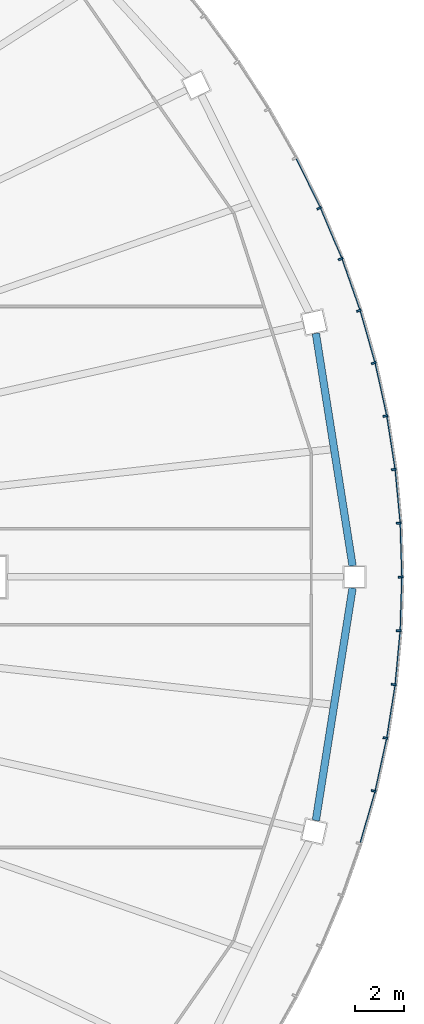
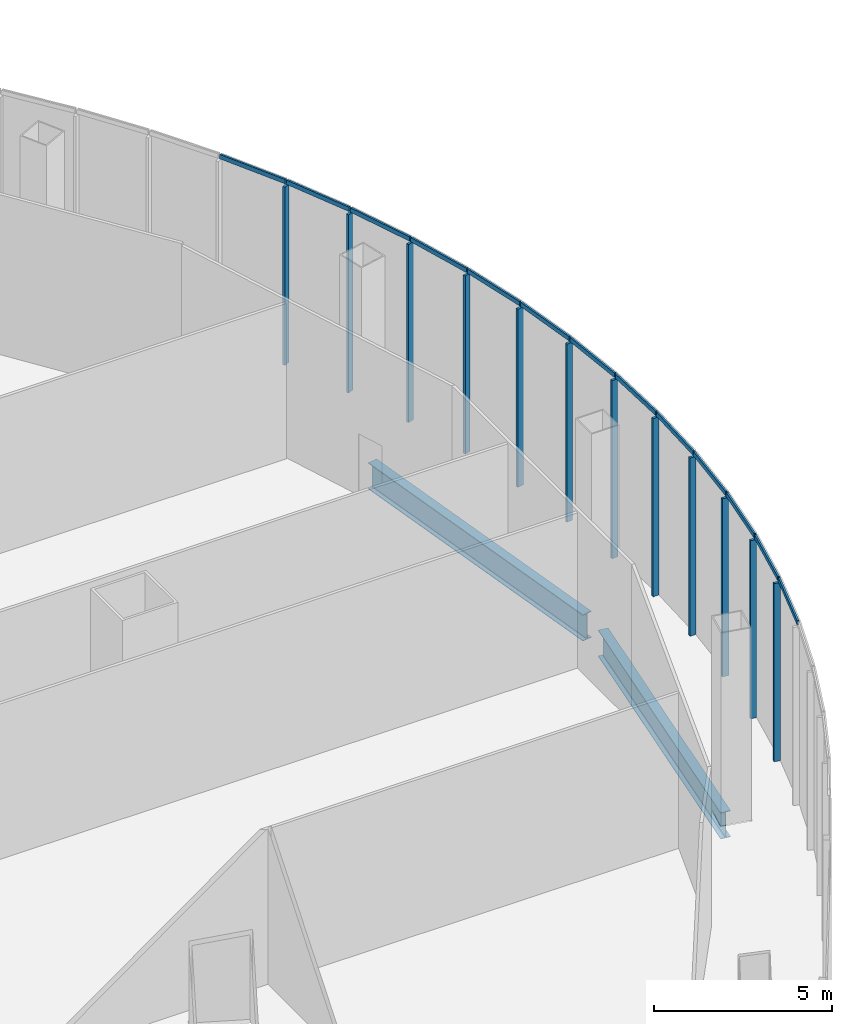
# One storey, part 12 of 33: 25 members, 2 beams, 3 elements without a shape of their own.
"""IFC4 building model written with IfcOpenShell, lengths in metres."""

from ifc_helpers import new_model, si_unit, direction, frame, origin, origin_2d, place, context, subcontext, project, spatial, rectangle, i_section, extrude, material, layer, layer_set, material_profile, profile_set, type_object, element, aggregate, save


model = new_model("IFC4")

# Units and contexts
model_context = context("Model", 3, precision=1e-05, world=origin(), true_north=direction((0.0, 1.0)))
body_context = subcontext(model_context, "Body", "Model", "MODEL_VIEW")
ifc_project = project(units=[si_unit("LENGTHUNIT", "METRE"), si_unit("AREAUNIT", "SQUARE_METRE"), si_unit("VOLUMEUNIT", "CUBIC_METRE"), si_unit("PLANEANGLEUNIT", "RADIAN"), si_unit("MASSUNIT", "GRAM", prefix="KILO")], contexts=[model_context])

# Site, building, storey
site_placement = place(None, origin())
site = spatial("IfcSite", under=ifc_project, at=site_placement, CompositionType="ELEMENT")
building_placement = place(site_placement, origin())
building = spatial("IfcBuilding", under=site, at=building_placement, Name="Sahrelin Media Tower", CompositionType="ELEMENT")
storey_placement = place(building_placement, frame((0.0, 0.0, 37.39990234375)))
storey = spatial("IfcBuildingStorey", under=building, at=storey_placement, Name="L05", CompositionType="ELEMENT", Elevation=37.39990234375)

# Curtain wall, members
ifc_material_1 = material(Name="Champagne anodised aluminium 6063-T6", Category="aluminium")
ifc_layer = layer(ifc_material_1, 0.14990234375)
ifc_layer_set = layer_set([ifc_layer], Name="Podium ribbon curtain wall")
curtain_wall_type = type_object("IfcCurtainWallType", Name="Podium ribbon curtain wall", PredefinedType="NOTDEFINED", material=ifc_layer_set)
curtain_wall_1_placement = place(storey_placement, frame((50.0, 0.0, 0.0), z_axis=(0.0, 0.0, 1.0), x_axis=(1.0, 0.0, 0.0)))
curtain_wall_1 = element("IfcCurtainWall", 1, at=curtain_wall_1_placement, inside=storey, type_object=curtain_wall_type, Name="L05:CW:L05-P00", PredefinedType="NOTDEFINED")
ifc_material_profile_1 = material_profile(ifc_material_1, rectangle(XDim=0.080078125, YDim=0.199951171875, at=origin_2d()), Name="Mullion 80x200")
ifc_profile_set_1 = profile_set([ifc_material_profile_1], Name="Champagne anodised aluminium 6063-T6")
member_type_1 = type_object("IfcMemberType", Name="Mullion 80x200 CW5", PredefinedType="MULLION", material=ifc_profile_set_1)
member_1_placement = place(storey_placement, frame((49.880126953125, -0.003662109375, 0.0), z_axis=(0.0, 0.0, 1.0), x_axis=(-0.031147343317, 0.999514803794, 0.0)))
member_1 = element("IfcMember", 2, at=member_1_placement, type_object=member_type_1, Name="L05:CWM1:L05-P00", PredefinedType="MULLION", context=body_context, shape_type="SweptSolid", body=[
    extrude(rectangle(XDim=0.080078125, YDim=0.199951171875, at=origin_2d()), origin(), (0.0, 0.0, 1.0), 6.10009765625),
])
member_2_placement = place(storey_placement, frame((49.81201171875, 2.18701171875, 0.0), z_axis=(0.0, 0.0, 1.0), x_axis=(-0.09329161754, 0.995638827134, 0.0)))
member_2 = element("IfcMember", 3, at=member_2_placement, type_object=member_type_1, Name="L05:CWM2:L05-P00", PredefinedType="MULLION", context=body_context, shape_type="SweptSolid", body=[
    extrude(rectangle(XDim=0.080078125, YDim=0.199951171875, at=origin_2d()), origin(), (0.0, 0.0, 1.0), 6.10009765625),
])
member_3_placement = place(storey_placement, frame((49.607421875, 4.37158203125, 0.0), z_axis=(0.0, 0.0, 1.0), x_axis=(-0.154851778565, 0.987937713965, 0.0)))
member_3 = element("IfcMember", 4, at=member_3_placement, type_object=member_type_1, Name="L05:CWM3:L05-P00", PredefinedType="MULLION", context=body_context, shape_type="SweptSolid", body=[
    extrude(rectangle(XDim=0.080078125, YDim=0.199951171875, at=origin_2d()), origin(), (0.0, 0.0, 1.0), 6.10009765625),
])
member_4_placement = place(storey_placement, frame((49.26708984375, 6.544189453125, 0.0), z_axis=(0.0, 0.0, 1.0), x_axis=(-0.215437572845, 0.976517614898, 0.0)))
member_4 = element("IfcMember", 5, at=member_4_placement, type_object=member_type_1, Name="L05:CWM4:L05-P00", PredefinedType="MULLION", context=body_context, shape_type="SweptSolid", body=[
    extrude(rectangle(XDim=0.080078125, YDim=0.199951171875, at=origin_2d()), origin(), (0.0, 0.0, 1.0), 6.10009765625),
])
member_5_placement = place(storey_placement, frame((48.7919921875, 8.69921875, 0.0), z_axis=(0.0, 0.0, 1.0), x_axis=(-0.274810138831, 0.961498511489, 0.0)))
member_5 = element("IfcMember", 6, at=member_5_placement, type_object=member_type_1, Name="L05:CWM5:L05-P00", PredefinedType="MULLION", context=body_context, shape_type="SweptSolid", body=[
    extrude(rectangle(XDim=0.080078125, YDim=0.199951171875, at=origin_2d()), origin(), (0.0, 0.0, 1.0), 6.10009765625),
])

curtain_wall_2_placement = place(storey_placement, frame((48.29638671875, 10.870361328125, 0.0), z_axis=(0.0, 0.0, 1.0), x_axis=(1.0, 0.0, 0.0)))
curtain_wall_2 = element("IfcCurtainWall", 7, at=curtain_wall_2_placement, inside=storey, type_object=curtain_wall_type, Name="L05:CW:L05-P01", PredefinedType="NOTDEFINED")
member_6_placement = place(storey_placement, frame((48.18310546875, 10.83056640625, 0.0), z_axis=(0.0, 0.0, 1.0), x_axis=(-0.332579242691, 0.943075313711, 0.0)))
member_6 = element("IfcMember", 8, at=member_6_placement, type_object=member_type_1, Name="L05:CWM1:L05-P01", PredefinedType="MULLION", context=body_context, shape_type="SweptSolid", body=[
    extrude(rectangle(XDim=0.080078125, YDim=0.199951171875, at=origin_2d()), origin(), (0.0, 0.0, 1.0), 6.10009765625),
])
member_7_placement = place(storey_placement, frame((47.442138671875, 12.93212890625, 0.0), z_axis=(0.0, 0.0, 1.0), x_axis=(-0.388450189752, 0.921469722824, 0.0)))
member_7 = element("IfcMember", 9, at=member_7_placement, type_object=member_type_1, Name="L05:CWM2:L05-P01", PredefinedType="MULLION", context=body_context, shape_type="SweptSolid", body=[
    extrude(rectangle(XDim=0.080078125, YDim=0.199951171875, at=origin_2d()), origin(), (0.0, 0.0, 1.0), 6.10009765625),
])
member_8_placement = place(storey_placement, frame((46.5712890625, 14.998291015625, 0.0), z_axis=(0.0, 0.0, 1.0), x_axis=(-0.442262079274, 0.896885864108, 0.0)))
member_8 = element("IfcMember", 10, at=member_8_placement, type_object=member_type_1, Name="L05:CWM3:L05-P01", PredefinedType="MULLION", context=body_context, shape_type="SweptSolid", body=[
    extrude(rectangle(XDim=0.080078125, YDim=0.199951171875, at=origin_2d()), origin(), (0.0, 0.0, 1.0), 6.10009765625),
])

curtain_wall_3_placement = place(storey_placement, frame((48.29638671875, -10.870361328125, 0.0), z_axis=(0.0, 0.0, 1.0), x_axis=(1.0, 0.0, 0.0)))
curtain_wall_3 = element("IfcCurtainWall", 11, at=curtain_wall_3_placement, inside=storey, type_object=curtain_wall_type, Name="L05:CW:L05-P23", PredefinedType="NOTDEFINED")
member_9_placement = place(storey_placement, frame((48.790283203125, -8.706298828125, 0.0), z_axis=(0.0, 0.0, 1.0), x_axis=(0.215437572845, 0.976517614898, 0.0)))
member_9 = element("IfcMember", 12, at=member_9_placement, type_object=member_type_1, Name="L05:CWM2:L05-P23", PredefinedType="MULLION", context=body_context, shape_type="SweptSolid", body=[
    extrude(rectangle(XDim=0.080078125, YDim=0.199951171875, at=origin_2d()), origin(), (0.0, 0.0, 1.0), 6.10009765625),
])
member_10_placement = place(storey_placement, frame((49.265869140625, -6.551513671875, 0.0), z_axis=(0.0, 0.0, 1.0), x_axis=(0.154851778565, 0.987937713965, 0.0)))
member_10 = element("IfcMember", 13, at=member_10_placement, type_object=member_type_1, Name="L05:CWM3:L05-P23", PredefinedType="MULLION", context=body_context, shape_type="SweptSolid", body=[
    extrude(rectangle(XDim=0.080078125, YDim=0.199951171875, at=origin_2d()), origin(), (0.0, 0.0, 1.0), 6.10009765625),
])
member_11_placement = place(storey_placement, frame((49.606689453125, -4.37890625, 0.0), z_axis=(0.0, 0.0, 1.0), x_axis=(0.09329161754, 0.995638827134, 0.0)))
member_11 = element("IfcMember", 14, at=member_11_placement, type_object=member_type_1, Name="L05:CWM4:L05-P23", PredefinedType="MULLION", context=body_context, shape_type="SweptSolid", body=[
    extrude(rectangle(XDim=0.080078125, YDim=0.199951171875, at=origin_2d()), origin(), (0.0, 0.0, 1.0), 6.10009765625),
])
member_12_placement = place(storey_placement, frame((49.8115234375, -2.1943359375, 0.0), z_axis=(0.0, 0.0, 1.0), x_axis=(0.031147343317, 0.999514803794, 0.0)))
member_12 = element("IfcMember", 15, at=member_12_placement, type_object=member_type_1, Name="L05:CWM5:L05-P23", PredefinedType="MULLION", context=body_context, shape_type="SweptSolid", body=[
    extrude(rectangle(XDim=0.080078125, YDim=0.199951171875, at=origin_2d()), origin(), (0.0, 0.0, 1.0), 6.10009765625),
])

# Beams
ifc_material_2 = material(Name="Steel S355", Category="steel")
ifc_material_profile_2 = material_profile(ifc_material_2, i_section(OverallWidth=0.30322265625, OverallDepth=0.903076171875, WebThickness=0.01513671875, FlangeThickness=0.020263671875, FilletRadius=0.01904296875, at=origin_2d()), Name="UB 914x305x201")
ifc_profile_set_2 = profile_set([ifc_material_profile_2], Name="Steel S355")
beam_type = type_object("IfcBeamType", Name="Podium edge girder PE11", PredefinedType="BEAM", material=ifc_profile_set_2)
for number, where, z_axis, x_axis, name in (
    (16, (47.928955078125, 0.449951171875, -0.6513671875), (-0.156048991104, 0.987749316565, 0.0), (-0.987749316565, -0.156048991104, 0.0), "Podium edge girder L05-01"),
    (17, (46.434814453125, -9.907470703125, -0.6513671875), (0.156048991104, 0.987749316565, 0.0), (-0.987749316565, 0.156048991104, 0.0), "Podium edge girder L05-24"),
):
    element("IfcBeam", number, at=place(storey_placement, frame(where, z_axis=z_axis, x_axis=x_axis)), inside=storey, type_object=beam_type, Name=name, PredefinedType="BEAM", context=body_context, shape_type="SweptSolid", body=[
        extrude(i_section(OverallWidth=0.30322265625, OverallDepth=0.903076171875, WebThickness=0.01513671875, FlangeThickness=0.020263671875, FilletRadius=0.01904296875, at=origin_2d()), origin(), (0.0, 0.0, 1.0), 9.57470703125),
    ])

# Member
ifc_material_profile_3 = material_profile(ifc_material_1, rectangle(XDim=0.06005859375, YDim=0.14990234375, at=origin_2d()), Name="Transom 60x150")
ifc_profile_set_3 = profile_set([ifc_material_profile_3], Name="Champagne anodised aluminium 6063-T6")
member_type_2 = type_object("IfcMemberType", Name="Transom 60x150 CW5", PredefinedType="USERDEFINED", material=ifc_profile_set_3)
member_13_placement = place(storey_placement, frame((49.948486328125, 0.04833984375, 6.175048828125), z_axis=(-0.031124815153, 0.999515505573, 0.0), x_axis=(-0.999515505573, -0.031124815153, 0.0)))
member_13 = element("IfcMember", 18, at=member_13_placement, type_object=member_type_2, Name="L05:CWT1a:L05-P00", ObjectType="TRANSOM", PredefinedType="USERDEFINED", context=body_context, shape_type="SweptSolid", body=[
    extrude(rectangle(XDim=0.06005859375, YDim=0.14990234375, at=origin_2d()), origin(), (0.0, 0.0, 1.0), 2.149169921875),
])

member_14_placement = place(storey_placement, frame((49.877197265625, 2.2431640625, 6.175048828125), z_axis=(-0.093379371436, 0.99563060067, 0.0), x_axis=(-0.99563060067, -0.093379371436, 0.0)))
member_14 = element("IfcMember", 19, at=member_14_placement, type_object=member_type_2, Name="L05:CWT2a:L05-P00", ObjectType="TRANSOM", PredefinedType="USERDEFINED", context=body_context, shape_type="SweptSolid", body=[
    extrude(rectangle(XDim=0.06005859375, YDim=0.14990234375, at=origin_2d()), origin(), (0.0, 0.0, 1.0), 2.15185546875),
])

member_15_placement = place(storey_placement, frame((49.6689453125, 4.431884765625, 6.175048828125), z_axis=(-0.154863781247, 0.987935832561, 0.0), x_axis=(-0.987935832561, -0.154863781247, 0.0)))
member_15 = element("IfcMember", 20, at=member_15_placement, type_object=member_type_2, Name="L05:CWT3a:L05-P00", ObjectType="TRANSOM", PredefinedType="USERDEFINED", context=body_context, shape_type="SweptSolid", body=[
    extrude(rectangle(XDim=0.06005859375, YDim=0.14990234375, at=origin_2d()), origin(), (0.0, 0.0, 1.0), 2.15673828125),
])

member_16_placement = place(storey_placement, frame((49.32470703125, 6.6083984375, 6.175048828125), z_axis=(-0.215389086642, 0.976528310575, 0.0), x_axis=(-0.976528310575, -0.215389086642, 0.0)))
member_16 = element("IfcMember", 21, at=member_16_placement, type_object=member_type_2, Name="L05:CWT4a:L05-P00", ObjectType="TRANSOM", PredefinedType="USERDEFINED", context=body_context, shape_type="SweptSolid", body=[
    extrude(rectangle(XDim=0.06005859375, YDim=0.14990234375, at=origin_2d()), origin(), (0.0, 0.0, 1.0), 2.163818359375),
])

member_17_placement = place(storey_placement, frame((48.845703125, 8.7666015625, 6.175048828125), z_axis=(-0.274824960972, 0.961494274984, 0.0), x_axis=(-0.961494274984, -0.274824960972, 0.0)))
member_17 = element("IfcMember", 22, at=member_17_placement, type_object=member_type_2, Name="L05:CWT5a:L05-P00", ObjectType="TRANSOM", PredefinedType="USERDEFINED", context=body_context, shape_type="SweptSolid", body=[
    extrude(rectangle(XDim=0.06005859375, YDim=0.14990234375, at=origin_2d()), origin(), (0.0, 0.0, 1.0), 2.173828125),
])

aggregate(curtain_wall_1, [member_1, member_13, member_2, member_14, member_3, member_15, member_4, member_16, member_5, member_17])

member_18_placement = place(storey_placement, frame((48.232421875, 10.90087890625, 6.175048828125), z_axis=(-0.332533804203, 0.943091336543, 0.0), x_axis=(-0.943091336543, -0.332533804203, 0.0)))
member_18 = element("IfcMember", 23, at=member_18_placement, type_object=member_type_2, Name="L05:CWT1a:L05-P01", ObjectType="TRANSOM", PredefinedType="USERDEFINED", context=body_context, shape_type="SweptSolid", body=[
    extrude(rectangle(XDim=0.06005859375, YDim=0.14990234375, at=origin_2d()), origin(), (0.0, 0.0, 1.0), 2.185546875),
])

member_19_placement = place(storey_placement, frame((47.4873046875, 13.00537109375, 6.175048828125), z_axis=(-0.388513504785, 0.921443029492, 0.0), x_axis=(-0.921443029492, -0.388513504785, 0.0)))
member_19 = element("IfcMember", 24, at=member_19_placement, type_object=member_type_2, Name="L05:CWT2a:L05-P01", ObjectType="TRANSOM", PredefinedType="USERDEFINED", context=body_context, shape_type="SweptSolid", body=[
    extrude(rectangle(XDim=0.06005859375, YDim=0.14990234375, at=origin_2d()), origin(), (0.0, 0.0, 1.0), 2.199462890625),
])

member_20_placement = place(storey_placement, frame((46.612060546875, 15.07421875, 6.175048828125), z_axis=(-0.442224467513, 0.896904409808, 0.0), x_axis=(-0.896904409808, -0.442224467513, 0.0)))
member_20 = element("IfcMember", 25, at=member_20_placement, type_object=member_type_2, Name="L05:CWT3a:L05-P01", ObjectType="TRANSOM", PredefinedType="USERDEFINED", context=body_context, shape_type="SweptSolid", body=[
    extrude(rectangle(XDim=0.06005859375, YDim=0.14990234375, at=origin_2d()), origin(), (0.0, 0.0, 1.0), 2.21484375),
])

aggregate(curtain_wall_2, [member_6, member_18, member_7, member_19, member_8, member_20])

member_21_placement = place(storey_placement, frame((48.261962890625, -10.80859375, 6.175048828125), z_axis=(0.274824960972, 0.961494274984, 0.0), x_axis=(-0.961494274984, 0.274824960972, 0.0)))
member_21 = element("IfcMember", 26, at=member_21_placement, type_object=member_type_2, Name="L05:CWT1a:L05-P23", ObjectType="TRANSOM", PredefinedType="USERDEFINED", context=body_context, shape_type="SweptSolid", body=[
    extrude(rectangle(XDim=0.06005859375, YDim=0.14990234375, at=origin_2d()), origin(), (0.0, 0.0, 1.0), 2.173828125),
])

member_22_placement = place(storey_placement, frame((48.869384765625, -8.672607421875, 6.175048828125), z_axis=(0.21547293686, 0.976509812281, 0.0), x_axis=(-0.976509812281, 0.21547293686, 0.0)))
member_22 = element("IfcMember", 27, at=member_22_placement, type_object=member_type_2, Name="L05:CWT2a:L05-P23", ObjectType="TRANSOM", PredefinedType="USERDEFINED", context=body_context, shape_type="SweptSolid", body=[
    extrude(rectangle(XDim=0.06005859375, YDim=0.14990234375, at=origin_2d()), origin(), (0.0, 0.0, 1.0), 2.1640625),
])

member_23_placement = place(storey_placement, frame((49.3427734375, -6.51318359375, 6.175048828125), z_axis=(0.154863781247, 0.987935832561, 0.0), x_axis=(-0.987935832561, 0.154863781247, 0.0)))
member_23 = element("IfcMember", 28, at=member_23_placement, type_object=member_type_2, Name="L05:CWT3a:L05-P23", ObjectType="TRANSOM", PredefinedType="USERDEFINED", context=body_context, shape_type="SweptSolid", body=[
    extrude(rectangle(XDim=0.06005859375, YDim=0.14990234375, at=origin_2d()), origin(), (0.0, 0.0, 1.0), 2.15673828125),
])

member_24_placement = place(storey_placement, frame((49.680908203125, -4.335693359375, 6.175048828125), z_axis=(0.093266896829, 0.995641143161, 0.0), x_axis=(-0.995641143161, 0.093266896829, 0.0)))
member_24 = element("IfcMember", 29, at=member_24_placement, type_object=member_type_2, Name="L05:CWT4a:L05-P23", ObjectType="TRANSOM", PredefinedType="USERDEFINED", context=body_context, shape_type="SweptSolid", body=[
    extrude(rectangle(XDim=0.06005859375, YDim=0.14990234375, at=origin_2d()), origin(), (0.0, 0.0, 1.0), 2.151611328125),
])

member_25_placement = place(storey_placement, frame((49.883056640625, -2.146484375, 6.175048828125), z_axis=(0.031124815153, 0.999515505573, 0.0), x_axis=(-0.999515505573, 0.031124815153, 0.0)))
member_25 = element("IfcMember", 30, at=member_25_placement, type_object=member_type_2, Name="L05:CWT5a:L05-P23", ObjectType="TRANSOM", PredefinedType="USERDEFINED", context=body_context, shape_type="SweptSolid", body=[
    extrude(rectangle(XDim=0.06005859375, YDim=0.14990234375, at=origin_2d()), origin(), (0.0, 0.0, 1.0), 2.149169921875),
])

aggregate(curtain_wall_3, [member_21, member_9, member_22, member_10, member_23, member_11, member_24, member_12, member_25])

save(model, "model.ifc")
